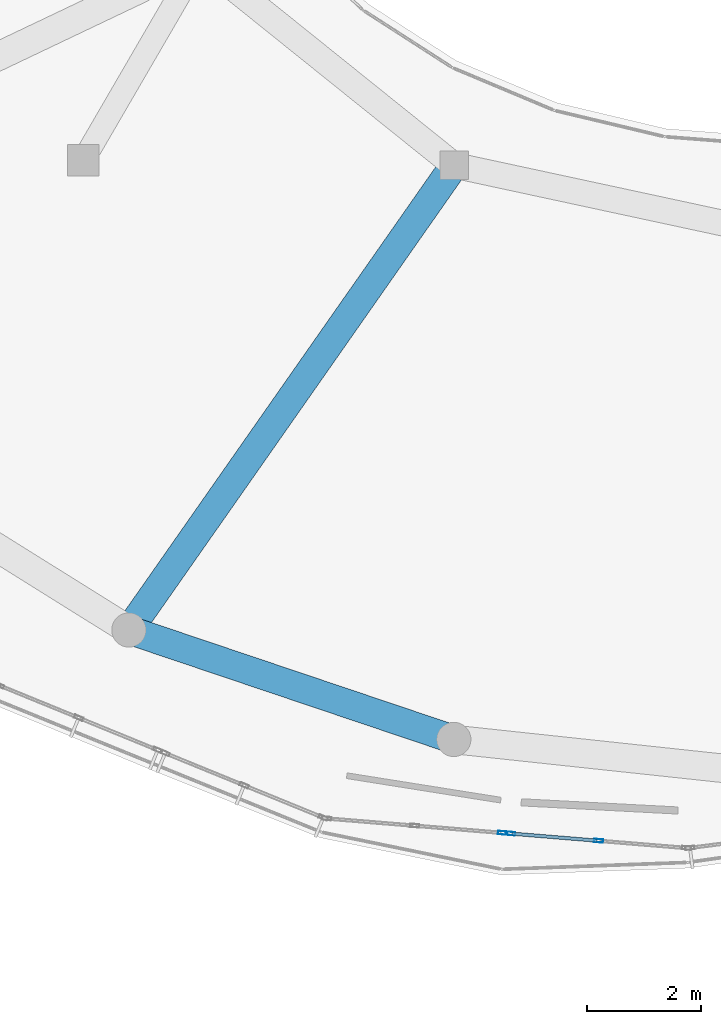
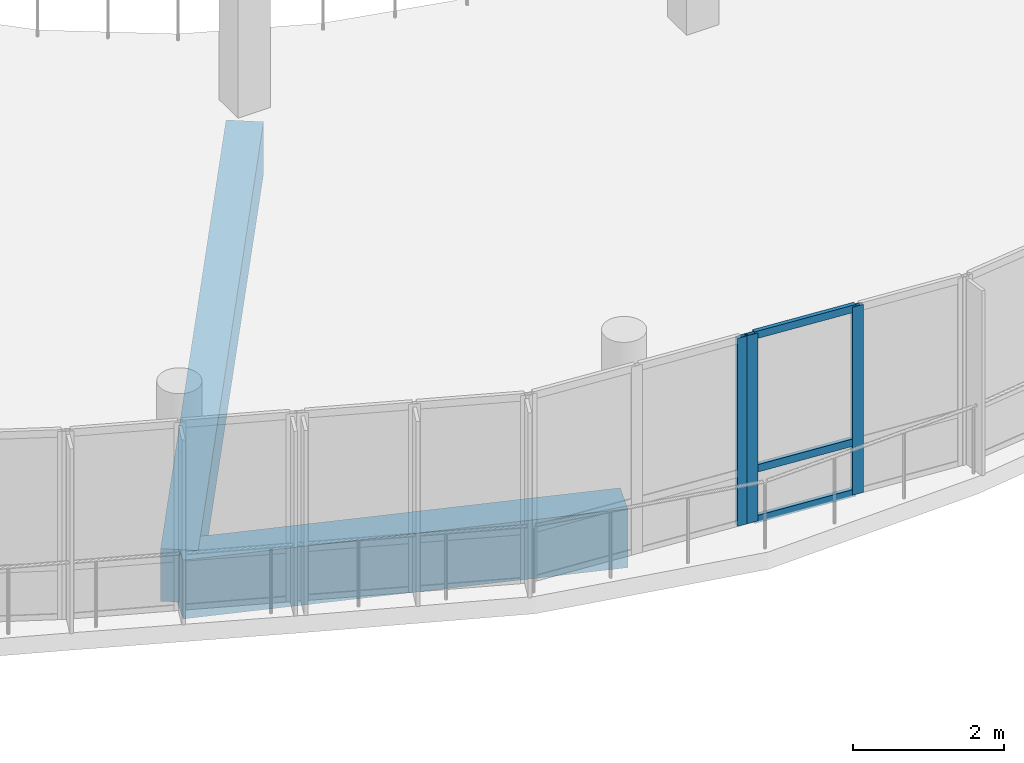
# One storey, part 5 of 43: 6 members, 2 beams, 2 elements without a shape of their own.
"""IFC4 building model written with IfcOpenShell, lengths in metres."""

from ifc_helpers import new_model, si_unit, derived_unit, direction, frame, origin, origin_2d, place, context, subcontext, project, spatial, rectangle, hollow_rectangle, extrude, material, layer, layer_set, material_profile, profile_set, type_object, element, aggregate, save


model = new_model("IFC4")

# Units and contexts
model_context = context("Model", 3, precision=1e-05, world=origin(), true_north=direction((0.0, 1.0)))
body_context = subcontext(model_context, "Body", "Model", "MODEL_VIEW")
ifc_project = project(units=[si_unit("LENGTHUNIT", "METRE"), si_unit("AREAUNIT", "SQUARE_METRE"), si_unit("VOLUMEUNIT", "CUBIC_METRE"), si_unit("PLANEANGLEUNIT", "RADIAN"), si_unit("MASSUNIT", "GRAM", prefix="KILO"), derived_unit("THERMALTRANSMITTANCEUNIT", [(si_unit("POWERUNIT", "WATT"), 1), (si_unit("LENGTHUNIT", "METRE"), -2), (si_unit("THERMODYNAMICTEMPERATUREUNIT", "KELVIN"), -1)])], contexts=[model_context])

# Site, building, storey
site_placement = place(None, origin())
site = spatial("IfcSite", under=ifc_project, at=site_placement, CompositionType="ELEMENT")
building_placement = place(site_placement, origin())
building = spatial("IfcBuilding", under=site, at=building_placement, Name="Elbkamm Science Centre", CompositionType="ELEMENT")
storey_placement = place(building_placement, frame((0.0, 0.0, 18.300048828125)))
storey = spatial("IfcBuildingStorey", under=building, at=storey_placement, Name="L04", CompositionType="ELEMENT", Elevation=18.300048828125)

# Beams
ifc_material_1 = material(Name="Concrete C40/50", Category="concrete")
ifc_material_profile_1 = material_profile(ifc_material_1, rectangle(XDim=0.5, YDim=0.85009765625, at=origin_2d()), Name="RC 500x850")
ifc_profile_set_1 = profile_set([ifc_material_profile_1], Name="Concrete C40/50")
beam_type_1 = type_object("IfcBeamType", Name="BM-RC-500x850", PredefinedType="BEAM", material=ifc_profile_set_1)
beam_1_placement = place(storey_placement, frame((56.89990234375, 58.712890625, -0.705078125), z_axis=(-0.573553022395, -0.819168438419, 0.0), x_axis=(0.819168438419, -0.573553022395, 0.0)))
element("IfcBeam", 1, at=beam_1_placement, inside=storey, type_object=beam_type_1, Name="L04 Elliptical Radial Girder 09", PredefinedType="BEAM", context=body_context, shape_type="SweptSolid", body=[
    extrude(rectangle(XDim=0.5, YDim=0.85009765625, at=origin_2d()), origin(), (0.0, 0.0, 1.0), 9.93798828125),
])
ifc_material_profile_2 = material_profile(ifc_material_1, rectangle(XDim=0.5, YDim=0.949951171875, at=origin_2d()), Name="RC 500x950")
ifc_profile_set_2 = profile_set([ifc_material_profile_2], Name="Concrete C40/50")
beam_type_2 = type_object("IfcBeamType", Name="BM-RC-500x950", PredefinedType="BEAM", material=ifc_profile_set_2)
beam_2_placement = place(storey_placement, frame((51.199951171875, 50.572021484375, -0.755126953125), z_axis=(0.947649950761, -0.319311087848, 0.0), x_axis=(0.319311087848, 0.947649950761, 0.0)))
element("IfcBeam", 2, at=beam_2_placement, inside=storey, type_object=beam_type_2, Name="L04 Elliptical Shell Perimeter Ring Beam 17", PredefinedType="SPANDREL", context=body_context, shape_type="SweptSolid", body=[
    extrude(rectangle(XDim=0.5, YDim=0.949951171875, at=origin_2d()), origin(), (0.0, 0.0, 1.0), 6.006591796875),
])

# Curtain wall, member
ifc_material_2 = material(Name="Powder-coated aluminium and triple low-E glazing", Category="aluminium")
ifc_layer = layer(ifc_material_2, 0.159912109375)
ifc_layer_set = layer_set([ifc_layer], Name="Powder-coated aluminium and triple low-E glazing")
curtain_wall_type = type_object("IfcCurtainWallType", Name="CW-UNIT-3160x3040", PredefinedType="USERDEFINED", material=ifc_layer_set)
curtain_wall_1_placement = place(storey_placement, origin())
curtain_wall_1 = element("IfcCurtainWall", 3, at=curtain_wall_1_placement, inside=storey, type_object=curtain_wall_type, Name="L04 Unitised Curtain Wall 096", ObjectType="UNITISED CURTAIN WALL", PredefinedType="USERDEFINED")
ifc_material_3 = material(Name="Powder-coated aluminium EN AW-6060", Category="aluminium")
ifc_material_profile_3 = material_profile(ifc_material_3, hollow_rectangle(XDim=0.06005859375, YDim=0.159912109375, WallThickness=0.00390625, at=origin_2d()), Name="ALU M60x160")
ifc_profile_set_3 = profile_set([ifc_material_profile_3], Name="Powder-coated aluminium EN AW-6060")
member_type_1 = type_object("IfcMemberType", Name="CW-MUL-60x160", PredefinedType="MULLION", material=ifc_profile_set_3)
member_1_placement = place(storey_placement, frame((57.74658203125, 47.01708984375, 0.0), z_axis=(0.0, 0.0, 1.0), x_axis=(0.081820228887, 0.996647104117, 0.0)))
member_1 = element("IfcMember", 4, at=member_1_placement, type_object=member_type_1, Name="CW-047 mullion 3", PredefinedType="MULLION", context=body_context, shape_type="SweptSolid", body=[
    extrude(hollow_rectangle(XDim=0.06005859375, YDim=0.159912109375, WallThickness=0.00390625, at=origin_2d()), origin(), (0.0, 0.0, 1.0), 3.0400390625),
])
aggregate(curtain_wall_1, [member_1])

# Curtain wall, members
curtain_wall_2_placement = place(storey_placement, origin())
curtain_wall_2 = element("IfcCurtainWall", 5, at=curtain_wall_2_placement, inside=storey, type_object=curtain_wall_type, Name="L04 Unitised Curtain Wall 097", ObjectType="UNITISED CURTAIN WALL", PredefinedType="USERDEFINED")
member_2_placement = place(storey_placement, frame((57.885986328125, 47.005615234375, 0.0), z_axis=(0.0, 0.0, 1.0), x_axis=(0.081820228887, 0.996647104117, 0.0)))
member_2 = element("IfcMember", 6, at=member_2_placement, type_object=member_type_1, Name="CW-047 mullion 1", PredefinedType="MULLION", context=body_context, shape_type="SweptSolid", body=[
    extrude(hollow_rectangle(XDim=0.06005859375, YDim=0.159912109375, WallThickness=0.00390625, at=origin_2d()), origin(), (0.0, 0.0, 1.0), 3.0400390625),
])
member_3_placement = place(storey_placement, frame((59.427978515625, 46.879150390625, 0.0), z_axis=(0.0, 0.0, 1.0), x_axis=(0.081820228887, 0.996647104117, 0.0)))
member_3 = element("IfcMember", 7, at=member_3_placement, type_object=member_type_1, Name="CW-047 mullion 2", PredefinedType="MULLION", context=body_context, shape_type="SweptSolid", body=[
    extrude(hollow_rectangle(XDim=0.06005859375, YDim=0.159912109375, WallThickness=0.00390625, at=origin_2d()), origin(), (0.0, 0.0, 1.0), 3.0400390625),
])
ifc_material_profile_4 = material_profile(ifc_material_3, hollow_rectangle(XDim=0.06005859375, YDim=0.1201171875, WallThickness=0.00341796875, at=origin_2d()), Name="ALU T60x120")
ifc_profile_set_4 = profile_set([ifc_material_profile_4], Name="Powder-coated aluminium EN AW-6060")
member_type_2 = type_object("IfcMemberType", Name="CW-TRN-60x120", PredefinedType="USERDEFINED", material=ifc_profile_set_4)
member_4_placement = place(storey_placement, frame((57.916015625, 47.003173828125, 0.030029296875), z_axis=(0.996652479532, -0.08175472489, 0.0), x_axis=(0.08175472489, 0.996652479532, 0.0)))
member_4 = element("IfcMember", 8, at=member_4_placement, type_object=member_type_2, Name="CW-047 transom 1.1", ObjectType="TRANSOM", PredefinedType="USERDEFINED", context=body_context, shape_type="SweptSolid", body=[
    extrude(hollow_rectangle(XDim=0.06005859375, YDim=0.1201171875, WallThickness=0.00341796875, at=origin_2d()), origin(), (0.0, 0.0, 1.0), 1.487060546875),
])
member_5_placement = place(storey_placement, frame((57.916015625, 47.003173828125, 0.849853515625), z_axis=(0.996652479532, -0.08175472489, 0.0), x_axis=(0.08175472489, 0.996652479532, 0.0)))
member_5 = element("IfcMember", 9, at=member_5_placement, type_object=member_type_2, Name="CW-047 transom 1.2", ObjectType="TRANSOM", PredefinedType="USERDEFINED", context=body_context, shape_type="SweptSolid", body=[
    extrude(hollow_rectangle(XDim=0.06005859375, YDim=0.1201171875, WallThickness=0.00341796875, at=origin_2d()), origin(), (0.0, 0.0, 1.0), 1.487060546875),
])
member_6_placement = place(storey_placement, frame((57.916015625, 47.003173828125, 3.010009765625), z_axis=(0.996652479532, -0.08175472489, 0.0), x_axis=(0.08175472489, 0.996652479532, 0.0)))
member_6 = element("IfcMember", 10, at=member_6_placement, type_object=member_type_2, Name="CW-047 transom 1.3", ObjectType="TRANSOM", PredefinedType="USERDEFINED", context=body_context, shape_type="SweptSolid", body=[
    extrude(hollow_rectangle(XDim=0.06005859375, YDim=0.1201171875, WallThickness=0.00341796875, at=origin_2d()), origin(), (0.0, 0.0, 1.0), 1.487060546875),
])
aggregate(curtain_wall_2, [member_2, member_3, member_4, member_5, member_6])

save(model, "model.ifc")
